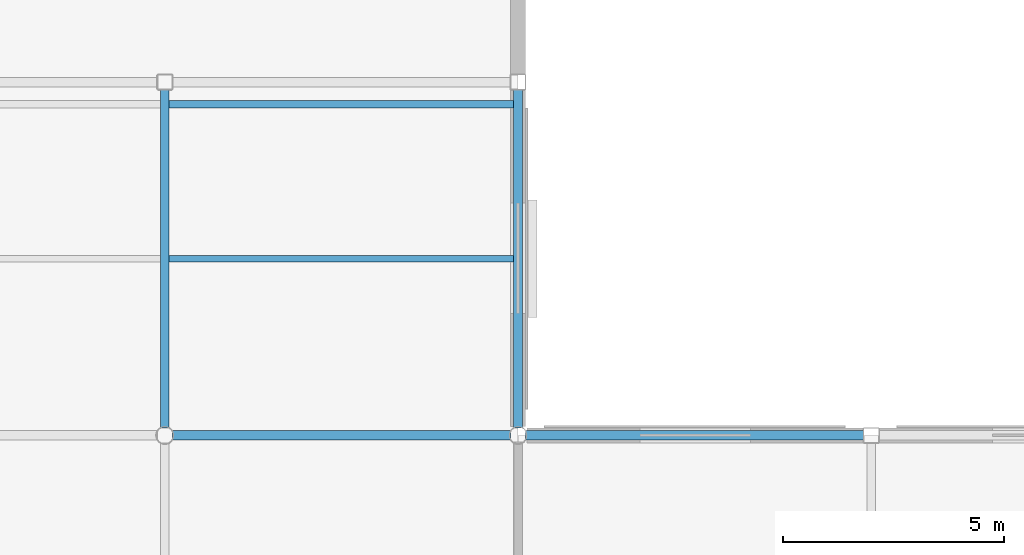
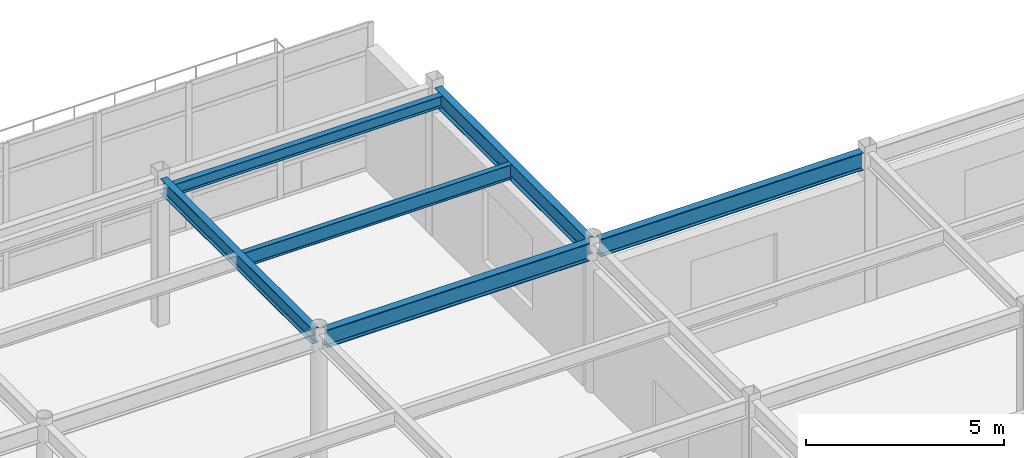
# One storey, part 72 of 117: 6 beams.
"""IFC4 building model written with IfcOpenShell, lengths in metres."""

from ifc_helpers import new_model, si_unit, direction, frame, origin, origin_2d, place, context, subcontext, project, spatial, i_section, extrude, material, material_profile, profile_set, type_object, element, save


model = new_model("IFC4")

# Units and contexts
model_context = context("Model", 3, precision=1e-05, world=origin(), true_north=direction((0.0, 1.0)))
body_context = subcontext(model_context, "Body", "Model", "MODEL_VIEW")
ifc_project = project(units=[si_unit("LENGTHUNIT", "METRE"), si_unit("AREAUNIT", "SQUARE_METRE"), si_unit("VOLUMEUNIT", "CUBIC_METRE"), si_unit("PLANEANGLEUNIT", "RADIAN"), si_unit("MASSUNIT", "GRAM", prefix="KILO")], contexts=[model_context])

# Site, building, storey
site_placement = place(None, origin())
site = spatial("IfcSite", under=ifc_project, at=site_placement, CompositionType="ELEMENT")
building_placement = place(site_placement, origin())
building = spatial("IfcBuilding", under=site, at=building_placement, Name="Solmirada Galleria", CompositionType="ELEMENT")
storey_placement = place(building_placement, frame((0.0, 0.0, 5.60009765625)))
storey = spatial("IfcBuildingStorey", under=building, at=storey_placement, Name="L01", CompositionType="ELEMENT", Elevation=5.60009765625)

# Beams
ifc_material = material(Name="Steel S355 / ASTM A992 Grade 50", Category="steel")
ifc_material_profile_1 = material_profile(ifc_material, i_section(OverallWidth=0.194091796875, OverallDepth=0.468994140625, WebThickness=0.0126953125, FlangeThickness=0.0205078125, FilletRadius=0.013916015625, at=origin_2d()), Name="W18X71")
ifc_profile_set_1 = profile_set([ifc_material_profile_1], Name="Steel S355 / ASTM A992 Grade 50")
beam_type_1 = type_object("IfcBeamType", Name="BM-GIRD-W18B", PredefinedType="BEAM", material=ifc_profile_set_1)
beam_1_placement = place(storey_placement, frame((136.0, 32.17041015625, 4.325439453125), z_axis=(0.0, 1.0, 0.0), x_axis=(-1.0, 0.0, 0.0)))
element("IfcBeam", 1, at=beam_1_placement, inside=storey, type_object=beam_type_1, Name="Primary girder L02 Y(136, 32..40)", PredefinedType="BEAM", context=body_context, shape_type="SweptSolid", body=[
    extrude(i_section(OverallWidth=0.194091796875, OverallDepth=0.468994140625, WebThickness=0.0126953125, FlangeThickness=0.0205078125, FilletRadius=0.013916015625, at=origin_2d()), origin(), (0.0, 0.0, 1.0), 7.651611328125),
])
ifc_material_profile_2 = material_profile(ifc_material, i_section(OverallWidth=0.214111328125, OverallDepth=0.549072265625, WebThickness=0.0146484375, FlangeThickness=0.023681640625, FilletRadius=0.014892578125, at=origin_2d()), Name="W21X93")
ifc_profile_set_2 = profile_set([ifc_material_profile_2], Name="Steel S355 / ASTM A992 Grade 50")
beam_type_2 = type_object("IfcBeamType", Name="BM-GIRD-W21A", PredefinedType="BEAM", material=ifc_profile_set_2)
beam_2_placement = place(storey_placement, frame((136.17041015625, 32.0, 4.325439453125), z_axis=(1.0, 0.0, 0.0), x_axis=(0.0, 1.0, 0.0)))
element("IfcBeam", 2, at=beam_2_placement, inside=storey, type_object=beam_type_2, Name="Primary beam L02 X(136..144, 32)", PredefinedType="BEAM", context=body_context, shape_type="SweptSolid", body=[
    extrude(i_section(OverallWidth=0.214111328125, OverallDepth=0.549072265625, WebThickness=0.0146484375, FlangeThickness=0.023681640625, FilletRadius=0.014892578125, at=origin_2d()), origin(), (0.0, 0.0, 1.0), 7.6591796875),
])
beam_3_placement = place(storey_placement, frame((144.17041015625, 32.0, 4.325439453125), z_axis=(1.0, 0.0, 0.0), x_axis=(0.0, 1.0, 0.0)))
element("IfcBeam", 3, at=beam_3_placement, inside=storey, type_object=beam_type_2, Name="Primary beam L02 X(144..152, 32)", PredefinedType="BEAM", context=body_context, shape_type="SweptSolid", body=[
    extrude(i_section(OverallWidth=0.214111328125, OverallDepth=0.549072265625, WebThickness=0.0146484375, FlangeThickness=0.023681640625, FilletRadius=0.014892578125, at=origin_2d()), origin(), (0.0, 0.0, 1.0), 7.651611328125),
])
ifc_material_profile_3 = material_profile(ifc_material, i_section(OverallWidth=0.2099609375, OverallDepth=0.537109375, WebThickness=0.010986328125, FlangeThickness=0.017333984375, FilletRadius=0.014892578125, at=origin_2d()), Name="W21X68")
ifc_profile_set_3 = profile_set([ifc_material_profile_3], Name="Steel S355 / ASTM A992 Grade 50")
beam_type_3 = type_object("IfcBeamType", Name="BM-GIRD-W21B", PredefinedType="BEAM", material=ifc_profile_set_3)
beam_4_placement = place(storey_placement, frame((144.0, 32.17041015625, 4.29150390625), z_axis=(0.0, 1.0, 0.0), x_axis=(-1.0, 0.0, 0.0)))
element("IfcBeam", 4, at=beam_4_placement, inside=storey, type_object=beam_type_3, Name="Primary girder L02 Y(144, 32..40)", PredefinedType="BEAM", context=body_context, shape_type="SweptSolid", body=[
    extrude(i_section(OverallWidth=0.2099609375, OverallDepth=0.537109375, WebThickness=0.010986328125, FlangeThickness=0.017333984375, FilletRadius=0.014892578125, at=origin_2d()), origin(), (0.0, 0.0, 1.0), 7.651611328125),
])
ifc_material_profile_4 = material_profile(ifc_material, i_section(OverallWidth=0.1708984375, OverallDepth=0.35205078125, WebThickness=0.0068359375, FlangeThickness=0.009765625, FilletRadius=0.010986328125, at=origin_2d()), Name="W14X30")
ifc_profile_set_4 = profile_set([ifc_material_profile_4], Name="Steel S355 / ASTM A992 Grade 50")
beam_type_4 = type_object("IfcBeamType", Name="BM-JST-W14B", PredefinedType="JOIST", material=ifc_profile_set_4)
beam_5_placement = place(storey_placement, frame((136.096923828125, 39.5, 4.3837890625), z_axis=(1.0, 0.0, 0.0), x_axis=(0.0, 1.0, 0.0)))
element("IfcBeam", 5, at=beam_5_placement, inside=storey, type_object=beam_type_4, Name="Terrace deck joist L02-TERR-SE X=136..144 (1)", PredefinedType="JOIST", context=body_context, shape_type="SweptSolid", body=[
    extrude(i_section(OverallWidth=0.1708984375, OverallDepth=0.35205078125, WebThickness=0.0068359375, FlangeThickness=0.009765625, FilletRadius=0.010986328125, at=origin_2d()), origin(), (0.0, 0.0, 1.0), 7.798095703125),
])
ifc_material_profile_5 = material_profile(ifc_material, i_section(OverallWidth=0.152099609375, OverallDepth=0.449951171875, WebThickness=0.007568359375, FlangeThickness=0.0107421875, FilletRadius=0.011962890625, at=origin_2d()), Name="W18X35")
ifc_profile_set_5 = profile_set([ifc_material_profile_5], Name="Steel S355 / ASTM A992 Grade 50")
beam_type_5 = type_object("IfcBeamType", Name="BM-JST-W18B", PredefinedType="JOIST", material=ifc_profile_set_5)
beam_6_placement = place(storey_placement, frame((136.096923828125, 36.0, 4.3349609375), z_axis=(1.0, 0.0, 0.0), x_axis=(0.0, 1.0, 0.0)))
element("IfcBeam", 6, at=beam_6_placement, inside=storey, type_object=beam_type_5, Name="Composite floor joist L02 (136..144, 36.0)", PredefinedType="JOIST", context=body_context, shape_type="SweptSolid", body=[
    extrude(i_section(OverallWidth=0.152099609375, OverallDepth=0.449951171875, WebThickness=0.007568359375, FlangeThickness=0.0107421875, FilletRadius=0.011962890625, at=origin_2d()), origin(), (0.0, 0.0, 1.0), 7.798095703125),
])

save(model, "model.ifc")
